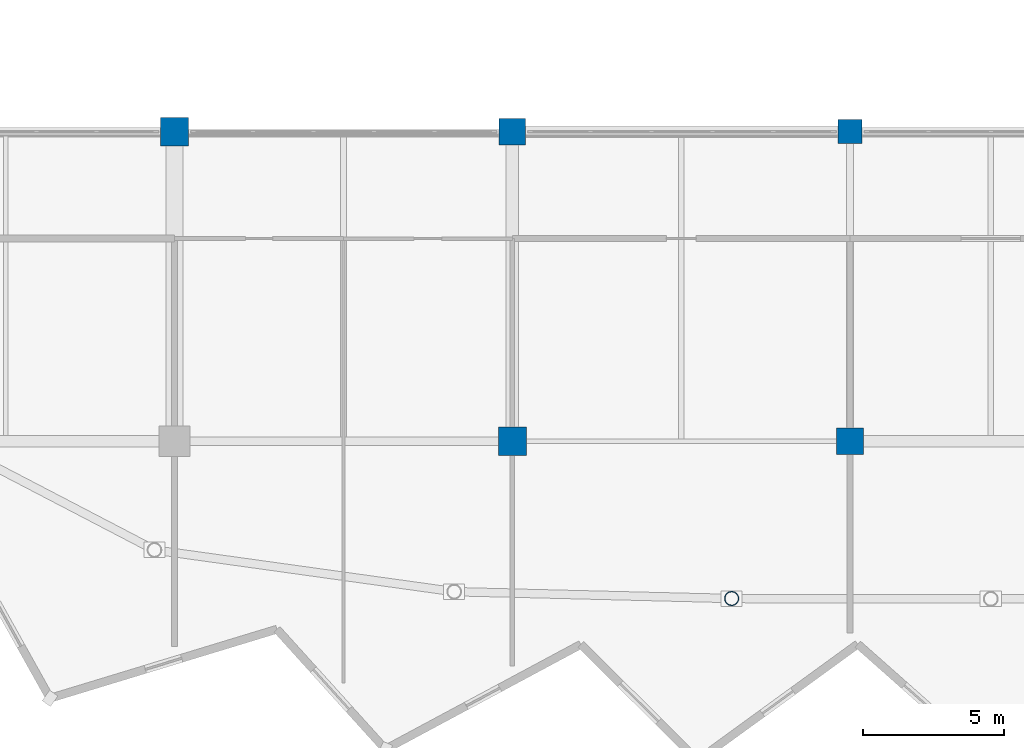
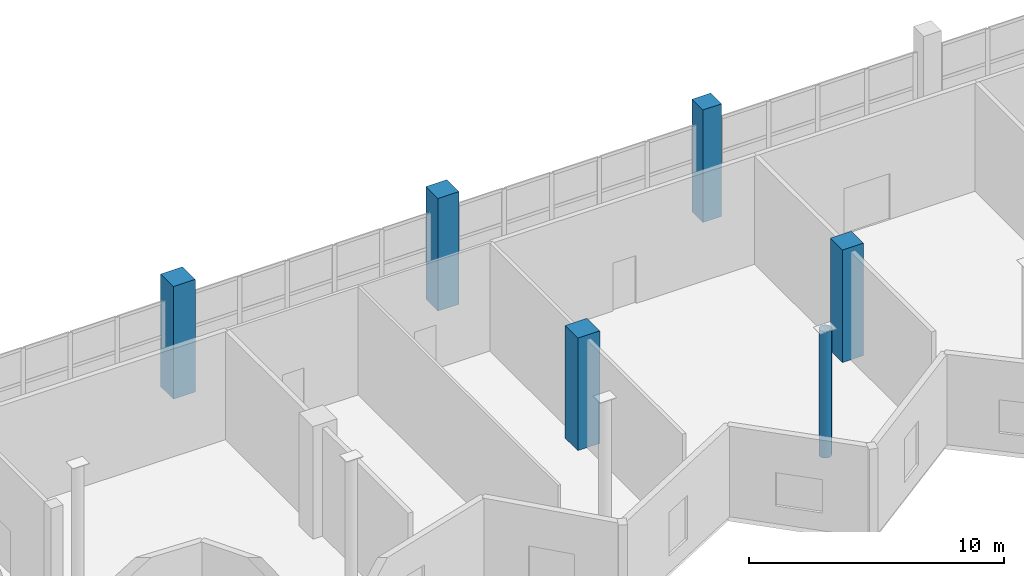
# One storey, part 2 of 49: 6 columns.
"""IFC4 building model written with IfcOpenShell, lengths in metres."""

from ifc_helpers import new_model, si_unit, direction, frame, origin, origin_2d, place, context, subcontext, project, spatial, rectangle, hollow_circle, extrude, material, material_profile, profile_set, type_object, element, save


model = new_model("IFC4")

# Units and contexts
model_context = context("Model", 3, precision=1e-05, world=origin(), true_north=direction((0.0, 1.0)))
body_context = subcontext(model_context, "Body", "Model", "MODEL_VIEW")
ifc_project = project(units=[si_unit("LENGTHUNIT", "METRE"), si_unit("AREAUNIT", "SQUARE_METRE"), si_unit("VOLUMEUNIT", "CUBIC_METRE"), si_unit("PLANEANGLEUNIT", "RADIAN"), si_unit("MASSUNIT", "GRAM", prefix="KILO")], contexts=[model_context])

# Site, building, storey
site_placement = place(None, origin())
site = spatial("IfcSite", under=ifc_project, at=site_placement, CompositionType="ELEMENT")
building_placement = place(site_placement, origin())
building = spatial("IfcBuilding", under=site, at=building_placement, Name="Luwafu Chhajja Arena", CompositionType="ELEMENT")
storey_placement = place(building_placement, frame((0.0, 0.0, 24.300048828125)))
storey = spatial("IfcBuildingStorey", under=building, at=storey_placement, Name="L05", CompositionType="ELEMENT", Elevation=24.300048828125)

# Columns
ifc_material_1 = material(Name="Concrete C40/50", Category="concrete")
ifc_material_profile_1 = material_profile(ifc_material_1, rectangle(XDim=1.0, YDim=1.0, at=origin_2d()), Name="RC 1000x1000")
ifc_profile_set_1 = profile_set([ifc_material_profile_1], Name="Concrete C40/50")
column_type_1 = type_object("IfcColumnType", Name="Bowl Primary Column RC 1000", PredefinedType="COLUMN", material=ifc_profile_set_1)
for number, where, z_axis, x_axis, name in (
    (1, (70.0, 22.0, 0.0), (0.0, 0.0, 1.0), (1.0, 0.0, 0.0), "L05 Grid Column 7/C"),
    (2, (82.0, 11.0, 0.0), (0.0, 0.0, 1.0), (1.0, 0.0, 0.0), "L05 Grid Column 8/B"),
):
    element("IfcColumn", number, at=place(storey_placement, frame(where, z_axis=z_axis, x_axis=x_axis)), inside=storey, type_object=column_type_1, Name=name, PredefinedType="COLUMN", context=body_context, shape_type="SweptSolid", body=[
        extrude(rectangle(XDim=1.0, YDim=1.0, at=origin_2d()), origin(), (0.0, 0.0, 1.0), 5.39990234375),
    ])
ifc_material_profile_2 = material_profile(ifc_material_1, rectangle(XDim=0.949951171875, YDim=0.949951171875, at=origin_2d()), Name="RC 950x950")
ifc_profile_set_2 = profile_set([ifc_material_profile_2], Name="Concrete C40/50")
column_type_2 = type_object("IfcColumnType", Name="Bowl Raker Support Column RC 950", PredefinedType="COLUMN", material=ifc_profile_set_2)
for number, where, z_axis, x_axis, name in (
    (3, (82.0, 22.0, 0.0), (0.0, 0.0, 1.0), (1.0, 0.0, 0.0), "L05 Grid Column 8/C"),
    (4, (94.0, 11.0, 0.0), (0.0, 0.0, 1.0), (1.0, 0.0, 0.0), "L05 Grid Column 9/B"),
):
    element("IfcColumn", number, at=place(storey_placement, frame(where, z_axis=z_axis, x_axis=x_axis)), inside=storey, type_object=column_type_2, Name=name, PredefinedType="COLUMN", context=body_context, shape_type="SweptSolid", body=[
        extrude(rectangle(XDim=0.949951171875, YDim=0.949951171875, at=origin_2d()), origin(), (0.0, 0.0, 1.0), 5.39990234375),
    ])
ifc_material_2 = material(Name="Concrete C35/45", Category="concrete")
ifc_material_profile_3 = material_profile(ifc_material_2, rectangle(XDim=0.85009765625, YDim=0.85009765625, at=origin_2d()), Name="RC 850x850")
ifc_profile_set_3 = profile_set([ifc_material_profile_3], Name="Concrete C35/45")
column_type_3 = type_object("IfcColumnType", Name="Concourse Heavy Column RC 850", PredefinedType="COLUMN", material=ifc_profile_set_3)
column_1_placement = place(storey_placement, frame((94.0, 22.0, 0.0), z_axis=(0.0, 0.0, 1.0), x_axis=(1.0, 0.0, 0.0)))
element("IfcColumn", 5, at=column_1_placement, inside=storey, type_object=column_type_3, Name="L05 Grid Column 9/C", PredefinedType="COLUMN", context=body_context, shape_type="SweptSolid", body=[
    extrude(rectangle(XDim=0.85009765625, YDim=0.85009765625, at=origin_2d()), origin(), (0.0, 0.0, 1.0), 5.39990234375),
])
ifc_material_3 = material(Name="Steel S355", Category="steel")
ifc_material_profile_4 = material_profile(ifc_material_3, hollow_circle(Radius=0.25390625, WallThickness=0.02001953125, at=origin_2d()), Name="CHS 508x20")
ifc_profile_set_4 = profile_set([ifc_material_profile_4], Name="Steel S355")
column_type_4 = type_object("IfcColumnType", Name="Steel Upper Drum Column CHS 508", PredefinedType="COLUMN", material=ifc_profile_set_4)
column_2_placement = place(storey_placement, frame((89.792724609375, 5.411865234375, 0.0), z_axis=(0.0, 0.0, 1.0), x_axis=(1.0, 0.0, 0.0)))
element("IfcColumn", 6, at=column_2_placement, inside=storey, type_object=column_type_4, Name="L05 Bowl Drum Column D24", PredefinedType="COLUMN", context=body_context, shape_type="SweptSolid", body=[
    extrude(hollow_circle(Radius=0.25390625, WallThickness=0.02001953125, at=origin_2d()), origin(), (0.0, 0.0, 1.0), 6.050048828125),
])

save(model, "model.ifc")
